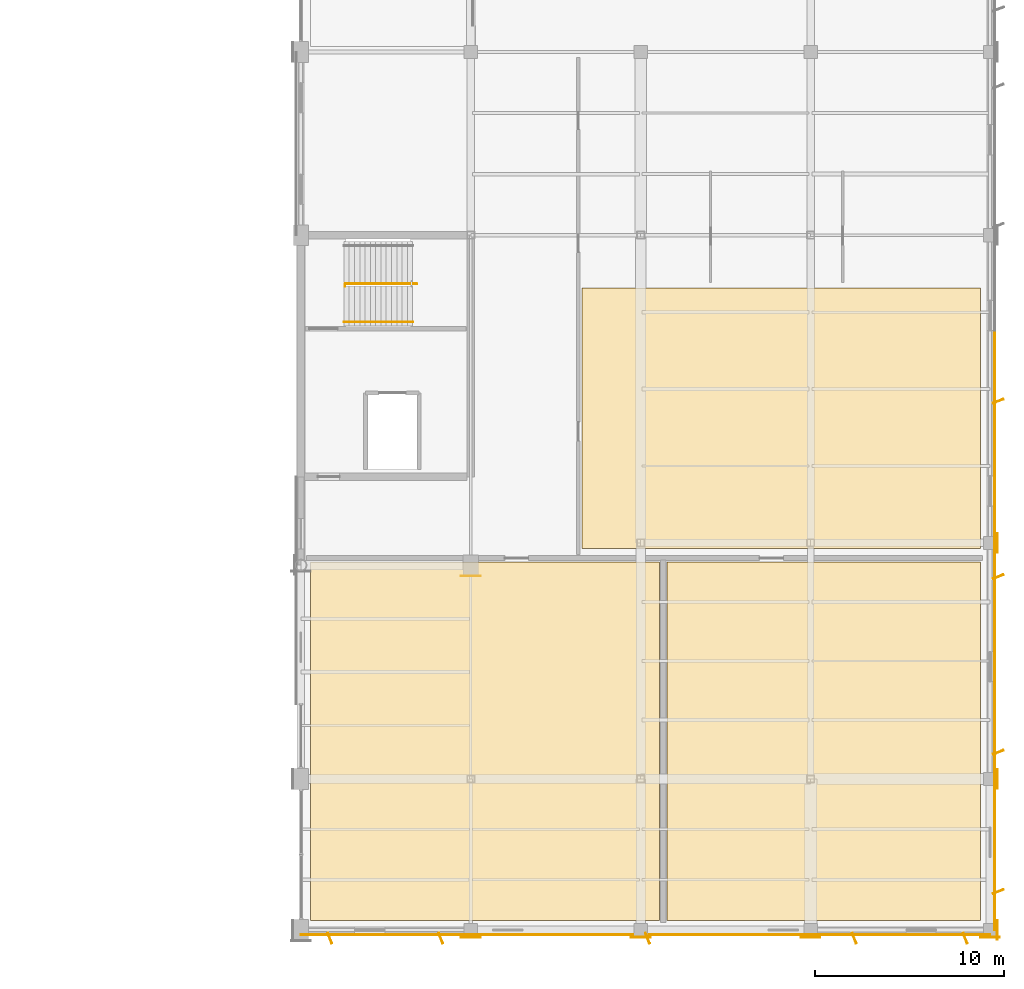
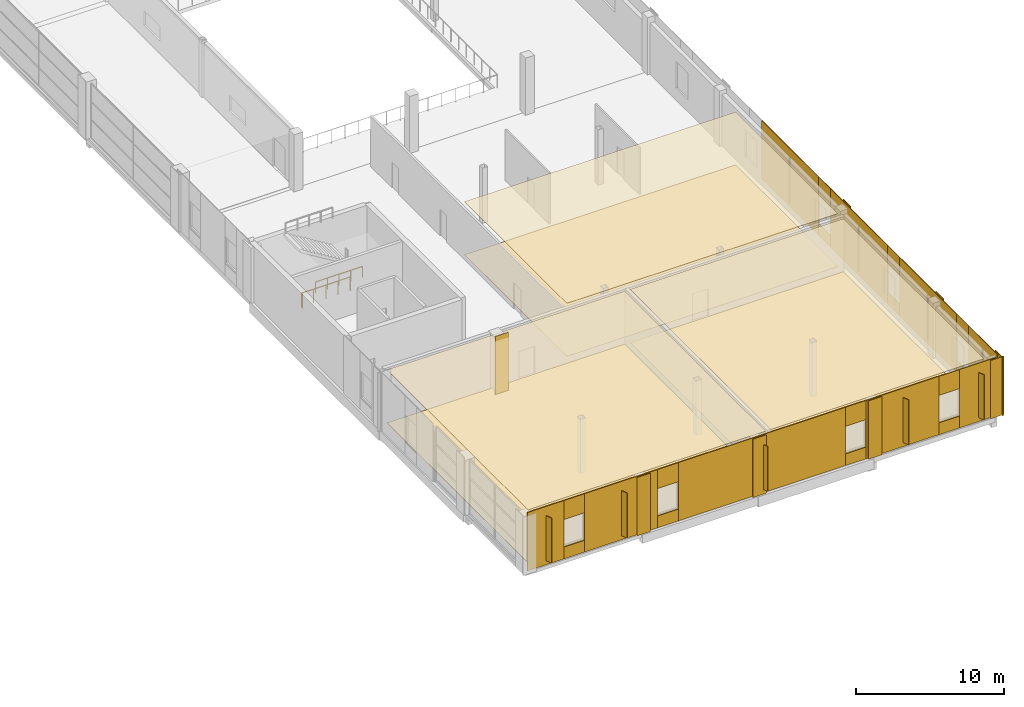
# One storey, part 109 of 112: 46 coverings, 2 railings.
"""IFC4 building model written with IfcOpenShell, lengths in metres."""

from ifc_helpers import new_model, si_unit, direction, frame, origin, origin_2d, place, context, subcontext, project, spatial, polyline, rectangle, circle, outline, extrude, material, layer, layer_set, type_object, element, save


model = new_model("IFC4")

# Units and contexts
model_context = context("Model", 3, precision=1e-05, world=origin(), true_north=direction((0.0, 1.0)))
body_context = subcontext(model_context, "Body", "Model", "MODEL_VIEW")
ifc_project = project(units=[si_unit("LENGTHUNIT", "METRE"), si_unit("AREAUNIT", "SQUARE_METRE"), si_unit("VOLUMEUNIT", "CUBIC_METRE"), si_unit("PLANEANGLEUNIT", "RADIAN"), si_unit("MASSUNIT", "GRAM", prefix="KILO")], contexts=[model_context])

# Site, building, storey
site_placement = place(None, origin())
site = spatial("IfcSite", under=ifc_project, at=site_placement, CompositionType="ELEMENT")
building_placement = place(site_placement, origin())
building = spatial("IfcBuilding", under=site, at=building_placement, Name="Solvikara Media Centre", CompositionType="ELEMENT")
storey_placement = place(building_placement, frame((0.0, 0.0, 5.39990234375)))
storey = spatial("IfcBuildingStorey", under=building, at=storey_placement, Name="L01", CompositionType="ELEMENT", Elevation=5.39990234375)

# Coverings
ifc_material_1 = material(Name="Perforated acoustic gypsum ceiling board")
ifc_layer_1 = layer(ifc_material_1, 0.0400390625)
ifc_layer_set_1 = layer_set([ifc_layer_1], Name="Perforated acoustic gypsum ceiling board")
covering_type_1 = type_object("IfcCoveringType", Name="CV-01", PredefinedType="CEILING", material=ifc_layer_set_1)
covering_1_placement = place(storey_placement, frame((0.0, 0.0, 4.35009765625)))
element("IfcCovering", 1, at=covering_1_placement, inside=storey, type_object=covering_type_1, Name="CLG-025", PredefinedType="CEILING", context=body_context, shape_type="SweptSolid", body=[
    extrude(outline(polyline([(128.0, 0.5), (146.5, 0.5), (146.5, 19.5), (128.0, 19.5), (128.0, 0.5)])), origin(), (0.0, 0.0, 1.0), 0.0400390625),
])
covering_2_placement = place(storey_placement, frame((0.0, 0.0, 4.35009765625)))
element("IfcCovering", 2, at=covering_2_placement, inside=storey, type_object=covering_type_1, Name="CLG-026", PredefinedType="CEILING", context=body_context, shape_type="SweptSolid", body=[
    extrude(outline(polyline([(146.89990234375, 0.5), (163.5, 0.5), (163.5, 19.5), (146.89990234375, 19.5), (146.89990234375, 0.5)])), origin(), (0.0, 0.0, 1.0), 0.0400390625),
])
covering_3_placement = place(storey_placement, frame((0.0, 0.0, 4.35009765625)))
element("IfcCovering", 3, at=covering_3_placement, inside=storey, type_object=covering_type_1, Name="CLG-027", PredefinedType="CEILING", context=body_context, shape_type="SweptSolid", body=[
    extrude(outline(polyline([(142.39990234375, 20.199951171875), (163.5, 20.199951171875), (163.5, 34.0), (142.39990234375, 34.0), (142.39990234375, 20.199951171875)])), origin(), (0.0, 0.0, 1.0), 0.0400390625),
])
ifc_material_2 = material(Name="Polished terrazzo floor finish")
ifc_layer_2 = layer(ifc_material_2, 0.030029296875)
ifc_layer_set_2 = layer_set([ifc_layer_2], Name="Polished terrazzo floor finish")
covering_type_2 = type_object("IfcCoveringType", Name="CV-02", PredefinedType="FLOORING", material=ifc_layer_set_2)
covering_4_placement = place(storey_placement, origin())
element("IfcCovering", 4, at=covering_4_placement, inside=storey, type_object=covering_type_2, Name="FLR-025", PredefinedType="FLOORING", context=body_context, shape_type="SweptSolid", body=[
    extrude(outline(polyline([(128.0, 0.5), (146.5, 0.5), (146.5, 19.5), (128.0, 19.5), (128.0, 0.5)])), origin(), (0.0, 0.0, 1.0), 0.030029296875),
])
covering_5_placement = place(storey_placement, origin())
element("IfcCovering", 5, at=covering_5_placement, inside=storey, type_object=covering_type_2, Name="FLR-026", PredefinedType="FLOORING", context=body_context, shape_type="SweptSolid", body=[
    extrude(outline(polyline([(146.89990234375, 0.5), (163.5, 0.5), (163.5, 19.5), (146.89990234375, 19.5), (146.89990234375, 0.5)])), origin(), (0.0, 0.0, 1.0), 0.030029296875),
])
covering_6_placement = place(storey_placement, origin())
element("IfcCovering", 6, at=covering_6_placement, inside=storey, type_object=covering_type_2, Name="FLR-027", PredefinedType="FLOORING", context=body_context, shape_type="SweptSolid", body=[
    extrude(outline(polyline([(142.39990234375, 20.199951171875), (163.5, 20.199951171875), (163.5, 34.0), (142.39990234375, 34.0), (142.39990234375, 20.199951171875)])), origin(), (0.0, 0.0, 1.0), 0.030029296875),
])
ifc_material_3 = material(Name="GFRC white mineral architectural rainscreen panel")
ifc_layer_3 = layer(ifc_material_3, 0.050048828125)
ifc_layer_set_3 = layer_set([ifc_layer_3], Name="GFRC white mineral architectural rainscreen panel")
covering_type_3 = type_object("IfcCoveringType", Name="CV-04", PredefinedType="CLADDING", material=ifc_layer_set_3)
for number, where, z_axis, x_axis, name in (
    (7, (136.5, -0.375, 0.0), (0.0, 0.0, 1.0), (1.0, 0.0, 0.0), "PIL-L01-199"),
    (8, (145.5, -0.375, 0.0), (0.0, 0.0, 1.0), (1.0, 0.0, 0.0), "PIL-L01-206"),
    (9, (154.5, -0.375, 0.0), (0.0, 0.0, 1.0), (1.0, 0.0, 0.0), "PIL-L01-212"),
    (10, (164.375, 0.0, 0.0), (0.0, 0.0, 1.0), (0.0, 1.0, 0.0), "PIL-L01-219"),
    (11, (164.0, -0.375, 0.0), (0.0, 0.0, 1.0), (1.0, 0.0, 0.0), "PIL-L01-220"),
    (12, (164.375, 8.0, 0.0), (0.0, 0.0, 1.0), (0.0, 1.0, 0.0), "PIL-L01-224"),
    (13, (164.375, 20.5, 0.0), (0.0, 0.0, 1.0), (0.0, 1.0, 0.0), "PIL-L01-229"),
    (14, (136.5, 18.7490234375, 0.0), (0.0, 0.0, 1.0), (1.0, 0.0, 0.0), "PIL-L01-243"),
):
    element("IfcCovering", number, at=place(storey_placement, frame(where, z_axis=z_axis, x_axis=x_axis)), inside=storey, type_object=covering_type_3, Name=name, PredefinedType="CLADDING", context=body_context, shape_type="SweptSolid", body=[
        extrude(rectangle(XDim=1.0400390625, YDim=0.050048828125, at=origin_2d()), origin(), (0.0, 0.0, 1.0), 4.800048828125),
    ])
covering_7_placement = place(storey_placement, frame((128.925048828125, -0.2451171875, 0.0), z_axis=(0.0, 0.0, 1.0), x_axis=(1.0, 0.0, 0.0)))
element("IfcCovering", 15, at=covering_7_placement, inside=storey, type_object=covering_type_3, Name="L01-V5S-CV-F01", PredefinedType="CLADDING", context=body_context, shape_type="SweptSolid", body=[
    extrude(rectangle(XDim=2.85009765625, YDim=0.050048828125, at=origin_2d()), origin(), (0.0, 0.0, 1.0), 4.800048828125),
])
covering_8_placement = place(storey_placement, frame((129.034912109375, -0.43505859375, 0.35009765625), z_axis=(0.0, 0.0, 1.0), x_axis=(0.3656566557, -0.930749810713, 0.0)))
element("IfcCovering", 16, at=covering_8_placement, inside=storey, type_object=covering_type_3, Name="L01-V5S-FIN-01", PredefinedType="CLADDING", context=body_context, shape_type="SweptSolid", body=[
    extrude(rectangle(XDim=0.60205078125, YDim=0.050048828125, at=origin_2d()), origin(), (0.0, 0.0, 1.0), 3.697998046875),
])
covering_9_placement = place(storey_placement, frame((131.14990234375, -0.2451171875, 0.0), z_axis=(0.0, 0.0, 1.0), x_axis=(1.0, 0.0, 0.0)))
element("IfcCovering", 17, at=covering_9_placement, inside=storey, type_object=covering_type_3, Name="L01-V5S-CV-S02", PredefinedType="CLADDING", context=body_context, shape_type="SweptSolid", body=[
    extrude(rectangle(XDim=1.60009765625, YDim=0.050048828125, at=origin_2d()), origin(), (0.0, 0.0, 1.0), 0.969970703125),
])
covering_10_placement = place(storey_placement, frame((131.14990234375, -0.2451171875, 3.22998046875), z_axis=(0.0, 0.0, 1.0), x_axis=(1.0, 0.0, 0.0)))
element("IfcCovering", 18, at=covering_10_placement, inside=storey, type_object=covering_type_3, Name="L01-V5S-CV-H02", PredefinedType="CLADDING", context=body_context, shape_type="SweptSolid", body=[
    extrude(rectangle(XDim=1.60009765625, YDim=0.050048828125, at=origin_2d()), origin(), (0.0, 0.0, 1.0), 1.570068359375),
])
covering_11_placement = place(storey_placement, frame((134.800048828125, -0.2451171875, 0.0), z_axis=(0.0, 0.0, 1.0), x_axis=(1.0, 0.0, 0.0)))
element("IfcCovering", 19, at=covering_11_placement, inside=storey, type_object=covering_type_3, Name="L01-V5S-CV-F03", PredefinedType="CLADDING", context=body_context, shape_type="SweptSolid", body=[
    extrude(rectangle(XDim=5.699951171875, YDim=0.050048828125, at=origin_2d()), origin(), (0.0, 0.0, 1.0), 4.800048828125),
])
covering_12_placement = place(storey_placement, frame((134.909912109375, -0.43505859375, 0.35009765625), z_axis=(0.0, 0.0, 1.0), x_axis=(0.3656566557, -0.930749810713, 0.0)))
element("IfcCovering", 20, at=covering_12_placement, inside=storey, type_object=covering_type_3, Name="L01-V5S-FIN-03", PredefinedType="CLADDING", context=body_context, shape_type="SweptSolid", body=[
    extrude(rectangle(XDim=0.60205078125, YDim=0.050048828125, at=origin_2d()), origin(), (0.0, 0.0, 1.0), 3.697998046875),
])
covering_13_placement = place(storey_placement, frame((138.449951171875, -0.2451171875, 0.0), z_axis=(0.0, 0.0, 1.0), x_axis=(1.0, 0.0, 0.0)))
element("IfcCovering", 21, at=covering_13_placement, inside=storey, type_object=covering_type_3, Name="L01-V5S-CV-S04", PredefinedType="CLADDING", context=body_context, shape_type="SweptSolid", body=[
    extrude(rectangle(XDim=1.60009765625, YDim=0.050048828125, at=origin_2d()), origin(), (0.0, 0.0, 1.0), 0.969970703125),
])
covering_14_placement = place(storey_placement, frame((138.449951171875, -0.2451171875, 3.22998046875), z_axis=(0.0, 0.0, 1.0), x_axis=(1.0, 0.0, 0.0)))
element("IfcCovering", 22, at=covering_14_placement, inside=storey, type_object=covering_type_3, Name="L01-V5S-CV-H04", PredefinedType="CLADDING", context=body_context, shape_type="SweptSolid", body=[
    extrude(rectangle(XDim=1.60009765625, YDim=0.050048828125, at=origin_2d()), origin(), (0.0, 0.0, 1.0), 1.570068359375),
])
covering_15_placement = place(storey_placement, frame((145.75, -0.2451171875, 0.0), z_axis=(0.0, 0.0, 1.0), x_axis=(1.0, 0.0, 0.0)))
element("IfcCovering", 23, at=covering_15_placement, inside=storey, type_object=covering_type_3, Name="L01-V5S-CV-F05", PredefinedType="CLADDING", context=body_context, shape_type="SweptSolid", body=[
    extrude(rectangle(XDim=13.0, YDim=0.050048828125, at=origin_2d()), origin(), (0.0, 0.0, 1.0), 4.800048828125),
])
covering_16_placement = place(storey_placement, frame((145.860107421875, -0.43505859375, 0.35009765625), z_axis=(0.0, 0.0, 1.0), x_axis=(0.3656566557, -0.930749810713, 0.0)))
element("IfcCovering", 24, at=covering_16_placement, inside=storey, type_object=covering_type_3, Name="L01-V5S-FIN-05", PredefinedType="CLADDING", context=body_context, shape_type="SweptSolid", body=[
    extrude(rectangle(XDim=0.60205078125, YDim=0.050048828125, at=origin_2d()), origin(), (0.0, 0.0, 1.0), 3.697998046875),
])
covering_17_placement = place(storey_placement, frame((153.050048828125, -0.2451171875, 0.0), z_axis=(0.0, 0.0, 1.0), x_axis=(1.0, 0.0, 0.0)))
element("IfcCovering", 25, at=covering_17_placement, inside=storey, type_object=covering_type_3, Name="L01-V5S-CV-S06", PredefinedType="CLADDING", context=body_context, shape_type="SweptSolid", body=[
    extrude(rectangle(XDim=1.60009765625, YDim=0.050048828125, at=origin_2d()), origin(), (0.0, 0.0, 1.0), 0.969970703125),
])
covering_18_placement = place(storey_placement, frame((153.050048828125, -0.2451171875, 3.22998046875), z_axis=(0.0, 0.0, 1.0), x_axis=(1.0, 0.0, 0.0)))
element("IfcCovering", 26, at=covering_18_placement, inside=storey, type_object=covering_type_3, Name="L01-V5S-CV-H06", PredefinedType="CLADDING", context=body_context, shape_type="SweptSolid", body=[
    extrude(rectangle(XDim=1.60009765625, YDim=0.050048828125, at=origin_2d()), origin(), (0.0, 0.0, 1.0), 1.570068359375),
])
covering_19_placement = place(storey_placement, frame((156.699951171875, -0.2451171875, 0.0), z_axis=(0.0, 0.0, 1.0), x_axis=(1.0, 0.0, 0.0)))
element("IfcCovering", 27, at=covering_19_placement, inside=storey, type_object=covering_type_3, Name="L01-V5S-CV-F07", PredefinedType="CLADDING", context=body_context, shape_type="SweptSolid", body=[
    extrude(rectangle(XDim=5.699951171875, YDim=0.050048828125, at=origin_2d()), origin(), (0.0, 0.0, 1.0), 4.800048828125),
])
covering_20_placement = place(storey_placement, frame((156.81005859375, -0.43505859375, 0.35009765625), z_axis=(0.0, 0.0, 1.0), x_axis=(0.3656566557, -0.930749810713, 0.0)))
element("IfcCovering", 28, at=covering_20_placement, inside=storey, type_object=covering_type_3, Name="L01-V5S-FIN-07", PredefinedType="CLADDING", context=body_context, shape_type="SweptSolid", body=[
    extrude(rectangle(XDim=0.60205078125, YDim=0.050048828125, at=origin_2d()), origin(), (0.0, 0.0, 1.0), 3.697998046875),
])
covering_21_placement = place(storey_placement, frame((160.35009765625, -0.2451171875, 0.0), z_axis=(0.0, 0.0, 1.0), x_axis=(1.0, 0.0, 0.0)))
element("IfcCovering", 29, at=covering_21_placement, inside=storey, type_object=covering_type_3, Name="L01-V5S-CV-S08", PredefinedType="CLADDING", context=body_context, shape_type="SweptSolid", body=[
    extrude(rectangle(XDim=1.60009765625, YDim=0.050048828125, at=origin_2d()), origin(), (0.0, 0.0, 1.0), 0.969970703125),
])
covering_22_placement = place(storey_placement, frame((160.35009765625, -0.2451171875, 3.22998046875), z_axis=(0.0, 0.0, 1.0), x_axis=(1.0, 0.0, 0.0)))
element("IfcCovering", 30, at=covering_22_placement, inside=storey, type_object=covering_type_3, Name="L01-V5S-CV-H08", PredefinedType="CLADDING", context=body_context, shape_type="SweptSolid", body=[
    extrude(rectangle(XDim=1.60009765625, YDim=0.050048828125, at=origin_2d()), origin(), (0.0, 0.0, 1.0), 1.570068359375),
])
covering_23_placement = place(storey_placement, frame((162.574951171875, -0.2451171875, 0.0), z_axis=(0.0, 0.0, 1.0), x_axis=(1.0, 0.0, 0.0)))
element("IfcCovering", 31, at=covering_23_placement, inside=storey, type_object=covering_type_3, Name="L01-V5S-CV-F09", PredefinedType="CLADDING", context=body_context, shape_type="SweptSolid", body=[
    extrude(rectangle(XDim=2.85009765625, YDim=0.050048828125, at=origin_2d()), origin(), (0.0, 0.0, 1.0), 4.800048828125),
])
covering_24_placement = place(storey_placement, frame((162.68505859375, -0.43505859375, 0.35009765625), z_axis=(0.0, 0.0, 1.0), x_axis=(0.3656566557, -0.930749810713, 0.0)))
element("IfcCovering", 32, at=covering_24_placement, inside=storey, type_object=covering_type_3, Name="L01-V5S-FIN-09", PredefinedType="CLADDING", context=body_context, shape_type="SweptSolid", body=[
    extrude(rectangle(XDim=0.60205078125, YDim=0.050048828125, at=origin_2d()), origin(), (0.0, 0.0, 1.0), 3.697998046875),
])
covering_25_placement = place(storey_placement, frame((164.2451171875, 1.925048828125, 0.0), z_axis=(0.0, 0.0, 1.0), x_axis=(0.0, 1.0, 0.0)))
element("IfcCovering", 33, at=covering_25_placement, inside=storey, type_object=covering_type_3, Name="L01-V5E-CV-F01", PredefinedType="CLADDING", context=body_context, shape_type="SweptSolid", body=[
    extrude(rectangle(XDim=3.85009765625, YDim=0.050048828125, at=origin_2d()), origin(), (0.0, 0.0, 1.0), 4.800048828125),
])
covering_26_placement = place(storey_placement, frame((164.43505859375, 2.034912109375, 0.35009765625), z_axis=(0.0, 0.0, 1.0), x_axis=(0.930749810713, 0.3656566557, 0.0)))
element("IfcCovering", 34, at=covering_26_placement, inside=storey, type_object=covering_type_3, Name="L01-V5E-FIN-01", PredefinedType="CLADDING", context=body_context, shape_type="SweptSolid", body=[
    extrude(rectangle(XDim=0.60205078125, YDim=0.050048828125, at=origin_2d()), origin(), (0.0, 0.0, 1.0), 3.697998046875),
])
covering_27_placement = place(storey_placement, frame((164.2451171875, 4.64990234375, 0.0), z_axis=(0.0, 0.0, 1.0), x_axis=(0.0, 1.0, 0.0)))
element("IfcCovering", 35, at=covering_27_placement, inside=storey, type_object=covering_type_3, Name="L01-V5E-CV-S02", PredefinedType="CLADDING", context=body_context, shape_type="SweptSolid", body=[
    extrude(rectangle(XDim=1.60009765625, YDim=0.050048828125, at=origin_2d()), origin(), (0.0, 0.0, 1.0), 0.969970703125),
])
covering_28_placement = place(storey_placement, frame((164.2451171875, 4.64990234375, 3.22998046875), z_axis=(0.0, 0.0, 1.0), x_axis=(0.0, 1.0, 0.0)))
element("IfcCovering", 36, at=covering_28_placement, inside=storey, type_object=covering_type_3, Name="L01-V5E-CV-H02", PredefinedType="CLADDING", context=body_context, shape_type="SweptSolid", body=[
    extrude(rectangle(XDim=1.60009765625, YDim=0.050048828125, at=origin_2d()), origin(), (0.0, 0.0, 1.0), 1.570068359375),
])
covering_29_placement = place(storey_placement, frame((164.2451171875, 9.300048828125, 0.0), z_axis=(0.0, 0.0, 1.0), x_axis=(0.0, 1.0, 0.0)))
element("IfcCovering", 37, at=covering_29_placement, inside=storey, type_object=covering_type_3, Name="L01-V5E-CV-F03", PredefinedType="CLADDING", context=body_context, shape_type="SweptSolid", body=[
    extrude(rectangle(XDim=7.699951171875, YDim=0.050048828125, at=origin_2d()), origin(), (0.0, 0.0, 1.0), 4.800048828125),
])
covering_30_placement = place(storey_placement, frame((164.43505859375, 9.409912109375, 0.35009765625), z_axis=(0.0, 0.0, 1.0), x_axis=(0.930749810713, 0.3656566557, 0.0)))
element("IfcCovering", 38, at=covering_30_placement, inside=storey, type_object=covering_type_3, Name="L01-V5E-FIN-03", PredefinedType="CLADDING", context=body_context, shape_type="SweptSolid", body=[
    extrude(rectangle(XDim=0.60205078125, YDim=0.050048828125, at=origin_2d()), origin(), (0.0, 0.0, 1.0), 3.697998046875),
])
covering_31_placement = place(storey_placement, frame((164.2451171875, 13.949951171875, 0.0), z_axis=(0.0, 0.0, 1.0), x_axis=(0.0, 1.0, 0.0)))
element("IfcCovering", 39, at=covering_31_placement, inside=storey, type_object=covering_type_3, Name="L01-V5E-CV-S04", PredefinedType="CLADDING", context=body_context, shape_type="SweptSolid", body=[
    extrude(rectangle(XDim=1.60009765625, YDim=0.050048828125, at=origin_2d()), origin(), (0.0, 0.0, 1.0), 0.969970703125),
])
covering_32_placement = place(storey_placement, frame((164.2451171875, 13.949951171875, 3.22998046875), z_axis=(0.0, 0.0, 1.0), x_axis=(0.0, 1.0, 0.0)))
element("IfcCovering", 40, at=covering_32_placement, inside=storey, type_object=covering_type_3, Name="L01-V5E-CV-H04", PredefinedType="CLADDING", context=body_context, shape_type="SweptSolid", body=[
    extrude(rectangle(XDim=1.60009765625, YDim=0.050048828125, at=origin_2d()), origin(), (0.0, 0.0, 1.0), 1.570068359375),
])
covering_33_placement = place(storey_placement, frame((164.2451171875, 18.60009765625, 0.0), z_axis=(0.0, 0.0, 1.0), x_axis=(0.0, 1.0, 0.0)))
element("IfcCovering", 41, at=covering_33_placement, inside=storey, type_object=covering_type_3, Name="L01-V5E-CV-F05", PredefinedType="CLADDING", context=body_context, shape_type="SweptSolid", body=[
    extrude(rectangle(XDim=7.699951171875, YDim=0.050048828125, at=origin_2d()), origin(), (0.0, 0.0, 1.0), 4.800048828125),
])
covering_34_placement = place(storey_placement, frame((164.43505859375, 18.7099609375, 0.35009765625), z_axis=(0.0, 0.0, 1.0), x_axis=(0.930749810713, 0.3656566557, 0.0)))
element("IfcCovering", 42, at=covering_34_placement, inside=storey, type_object=covering_type_3, Name="L01-V5E-FIN-05", PredefinedType="CLADDING", context=body_context, shape_type="SweptSolid", body=[
    extrude(rectangle(XDim=0.60205078125, YDim=0.050048828125, at=origin_2d()), origin(), (0.0, 0.0, 1.0), 3.697998046875),
])
covering_35_placement = place(storey_placement, frame((164.2451171875, 23.25, 0.0), z_axis=(0.0, 0.0, 1.0), x_axis=(0.0, 1.0, 0.0)))
element("IfcCovering", 43, at=covering_35_placement, inside=storey, type_object=covering_type_3, Name="L01-V5E-CV-S06", PredefinedType="CLADDING", context=body_context, shape_type="SweptSolid", body=[
    extrude(rectangle(XDim=1.60009765625, YDim=0.050048828125, at=origin_2d()), origin(), (0.0, 0.0, 1.0), 0.969970703125),
])
covering_36_placement = place(storey_placement, frame((164.2451171875, 23.25, 3.22998046875), z_axis=(0.0, 0.0, 1.0), x_axis=(0.0, 1.0, 0.0)))
element("IfcCovering", 44, at=covering_36_placement, inside=storey, type_object=covering_type_3, Name="L01-V5E-CV-H06", PredefinedType="CLADDING", context=body_context, shape_type="SweptSolid", body=[
    extrude(rectangle(XDim=1.60009765625, YDim=0.050048828125, at=origin_2d()), origin(), (0.0, 0.0, 1.0), 1.570068359375),
])
covering_37_placement = place(storey_placement, frame((164.2451171875, 27.89990234375, 0.0), z_axis=(0.0, 0.0, 1.0), x_axis=(0.0, 1.0, 0.0)))
element("IfcCovering", 45, at=covering_37_placement, inside=storey, type_object=covering_type_3, Name="L01-V5E-CV-F07", PredefinedType="CLADDING", context=body_context, shape_type="SweptSolid", body=[
    extrude(rectangle(XDim=7.699951171875, YDim=0.050048828125, at=origin_2d()), origin(), (0.0, 0.0, 1.0), 4.800048828125),
])
covering_38_placement = place(storey_placement, frame((164.43505859375, 28.010009765625, 0.35009765625), z_axis=(0.0, 0.0, 1.0), x_axis=(0.930749810713, 0.3656566557, 0.0)))
element("IfcCovering", 46, at=covering_38_placement, inside=storey, type_object=covering_type_3, Name="L01-V5E-FIN-07", PredefinedType="CLADDING", context=body_context, shape_type="SweptSolid", body=[
    extrude(rectangle(XDim=0.60205078125, YDim=0.050048828125, at=origin_2d()), origin(), (0.0, 0.0, 1.0), 3.697998046875),
])

# Railings
ifc_material_4 = material(Name="Steel S355JR", Category="steel")
railing_type_1 = type_object("IfcRailingType", Name="GR-01", PredefinedType="GUARDRAIL", material=ifc_material_4)
railing_1_placement = place(storey_placement, frame((129.840087890625, 34.080078125, 0.0)))
element("IfcRailing", 47, at=railing_1_placement, inside=storey, type_object=railing_type_1, Name="GR-C4-L00-W", PredefinedType="GUARDRAIL", context=body_context, shape_type="SweptSolid", body=[
    extrude(circle(Radius=0.02392578125, at=origin_2d()), frame((0.0, 0.0, 1.1259765625), z_axis=(0.0, 1.0, 0.0), x_axis=(-1.0, 0.0, 0.0)), (0.0, 0.0, 1.0), 0.139892578125),
    extrude(circle(Radius=0.02392578125, at=origin_2d()), frame((0.0, 0.139892578125, 1.1259765625), z_axis=(1.0, 0.0, 0.0), x_axis=(0.0, 1.0, 0.0)), (0.0, 0.0, 1.0), 3.7998046875),
    extrude(circle(Radius=0.02099609375, at=origin_2d()), origin(), (0.0, 0.0, 1.0), 1.101806640625),
    extrude(circle(Radius=0.02099609375, at=origin_2d()), frame((0.0, 0.139892578125, 0.0)), (0.0, 0.0, 1.0), 1.101806640625),
    extrude(circle(Radius=0.02099609375, at=origin_2d()), frame((0.949951171875, 0.139892578125, 0.0)), (0.0, 0.0, 1.0), 1.101806640625),
    extrude(circle(Radius=0.02099609375, at=origin_2d()), frame((1.89990234375, 0.139892578125, 0.0)), (0.0, 0.0, 1.0), 1.101806640625),
    extrude(circle(Radius=0.02099609375, at=origin_2d()), frame((2.849853515625, 0.139892578125, 0.0)), (0.0, 0.0, 1.0), 1.101806640625),
    extrude(circle(Radius=0.02099609375, at=origin_2d()), frame((3.7998046875, 0.139892578125, 0.0)), (0.0, 0.0, 1.0), 1.101806640625),
])
railing_type_2 = type_object("IfcRailingType", Name="HR-01", PredefinedType="HANDRAIL", material=ifc_material_4)
railing_2_placement = place(storey_placement, frame((129.780029296875, 32.199951171875, 2.400146484375)))
element("IfcRailing", 48, at=railing_2_placement, inside=storey, type_object=railing_type_2, Name="HR-C4-L01-1", PredefinedType="HANDRAIL", context=body_context, shape_type="SweptSolid", body=[
    extrude(circle(Radius=0.02392578125, at=origin_2d()), frame((0.0, 0.0, 0.89599609375), z_axis=(1.0, 0.0, 0.0), x_axis=(0.0, 1.0, 0.0)), (0.0, 0.0, 1.0), 3.639892578125),
    extrude(circle(Radius=0.02099609375, at=origin_2d()), origin(), (0.0, 0.0, 1.0), 0.871826171875),
    extrude(circle(Radius=0.02099609375, at=origin_2d()), frame((0.909912109375, 0.0, 0.0)), (0.0, 0.0, 1.0), 0.871826171875),
    extrude(circle(Radius=0.02099609375, at=origin_2d()), frame((1.81982421875, 0.0, 0.0)), (0.0, 0.0, 1.0), 0.871826171875),
    extrude(circle(Radius=0.02099609375, at=origin_2d()), frame((2.72998046875, 0.0, 0.0)), (0.0, 0.0, 1.0), 0.871826171875),
    extrude(circle(Radius=0.02099609375, at=origin_2d()), frame((3.639892578125, 0.0, 0.0)), (0.0, 0.0, 1.0), 0.871826171875),
])

save(model, "model.ifc")
